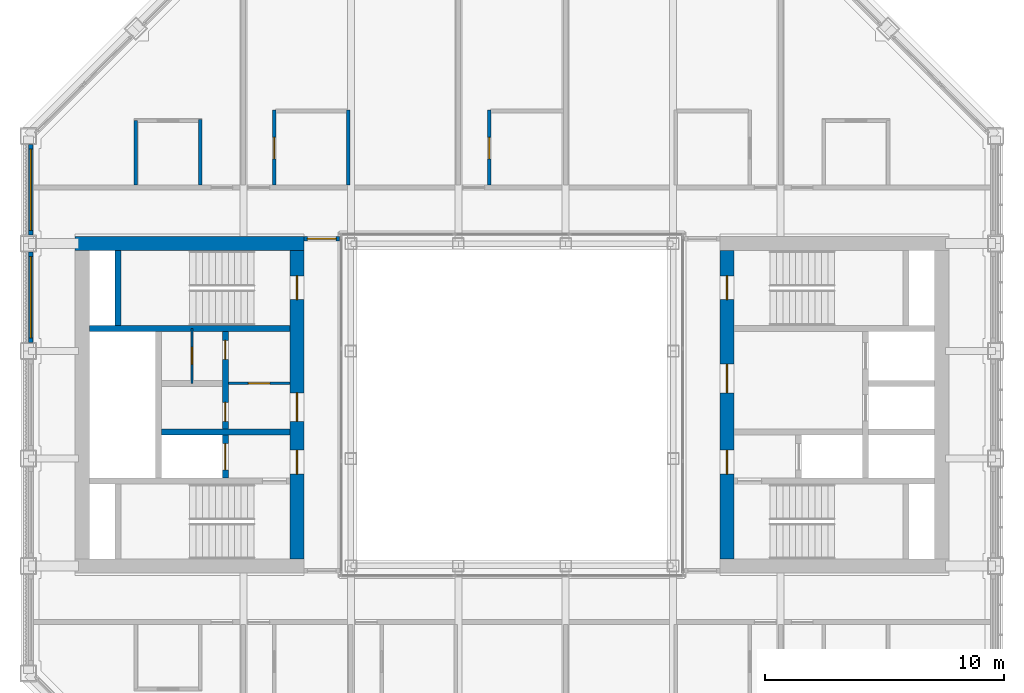
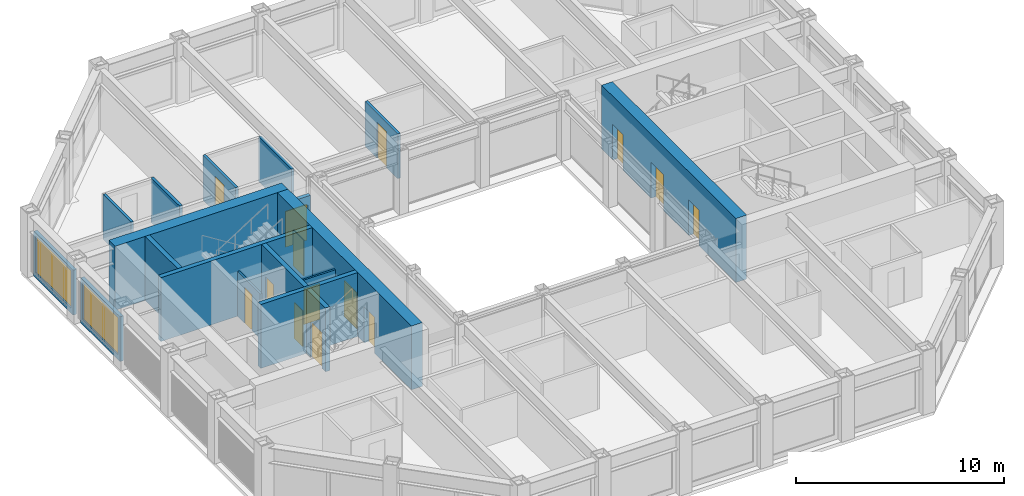
# One storey, part 10 of 16: 17 walls, 14 doors, 2 windows, 16 openings.
"""IFC4 building model written with IfcOpenShell, lengths in metres."""

from ifc_helpers import new_model, si_unit, direction, frame, frame_2d, origin, place, context, subcontext, project, spatial, rectangle, extrude, material, layer, layer_set, type_object, element, fill, save


model = new_model("IFC4")

# Units and contexts
model_context = context("Model", 3, precision=1e-05, world=origin(), true_north=direction((0.0, 1.0)))
body_context = subcontext(model_context, "Body", "Model", "MODEL_VIEW")
ifc_project = project(units=[si_unit("LENGTHUNIT", "METRE"), si_unit("AREAUNIT", "SQUARE_METRE"), si_unit("VOLUMEUNIT", "CUBIC_METRE"), si_unit("PLANEANGLEUNIT", "RADIAN"), si_unit("MASSUNIT", "GRAM", prefix="KILO")], contexts=[model_context])

# Site, building, storey
site_placement = place(None, origin())
site = spatial("IfcSite", under=ifc_project, at=site_placement, CompositionType="ELEMENT")
building_placement = place(site_placement, origin())
building = spatial("IfcBuilding", under=site, at=building_placement, Name="Msasa Ring Tower", CompositionType="ELEMENT")
storey_placement = place(building_placement, frame((0.0, 0.0, 212.050048828125)))
storey = spatial("IfcBuildingStorey", under=building, at=storey_placement, Name="L55", CompositionType="ELEMENT", Elevation=212.050048828125)

# Wall, openings, doors
ifc_material_1 = material(Name="Concrete C60/75", Category="concrete")
ifc_layer_1 = layer(ifc_material_1, 0.60009765625)
ifc_layer_set_1 = layer_set([ifc_layer_1], Name="CW3 CORE WALL 600")
wall_type_1 = type_object("IfcWallType", Name="CW3 CORE WALL 600", PredefinedType="SHEAR", material=ifc_layer_set_1)
wall_1_placement = place(storey_placement, frame((9.0, -6.449951171875, 0.0), z_axis=(0.0, 0.0, 1.0), x_axis=(0.0, 1.0, 0.0)))
wall_1 = element("IfcWall", 1, at=wall_1_placement, inside=storey, type_object=wall_type_1, Name="E core wall W L55", PredefinedType="SHEAR", context=body_context, shape_type="SweptSolid", body=[
    extrude(rectangle(XDim=12.89990234375, YDim=0.60009765625, at=frame_2d((6.449951171875, 0.0))), origin(), (0.0, 0.0, 1.0), 3.75),
])
opening_1_placement = place(wall_1_placement, frame((3.550048828125, 0.0, 0.0)))
opening_1 = element("IfcOpeningElement", 2, at=opening_1_placement, cuts=wall_1, Name="Opening SB-022", PredefinedType="OPENING", context=body_context, shape_type="SweptSolid", body=[
    extrude(rectangle(XDim=1.0, YDim=2.10009765625, at=frame_2d((0.5, 1.050048828125))), frame((0.0, 0.31005859375, 0.0), z_axis=(0.0, -1.0, 0.0), x_axis=(1.0, 0.0, 0.0)), (0.0, 0.0, 1.0), 0.6201171875),
])
opening_2_placement = place(wall_1_placement, frame((6.949951171875, 0.0, 0.0)))
opening_2 = element("IfcOpeningElement", 3, at=opening_2_placement, cuts=wall_1, Name="Opening SB-017", PredefinedType="OPENING", context=body_context, shape_type="SweptSolid", body=[
    extrude(rectangle(XDim=1.199951171875, YDim=2.10009765625, at=frame_2d((0.60009765625, 1.050048828125))), frame((0.0, 0.31005859375, 0.0), z_axis=(0.0, -1.0, 0.0), x_axis=(1.0, 0.0, 0.0)), (0.0, 0.0, 1.0), 0.6201171875),
])
opening_3_placement = place(wall_1_placement, frame((10.85009765625, 0.0, 0.0)))
opening_3 = element("IfcOpeningElement", 4, at=opening_3_placement, cuts=wall_1, Name="Opening SB-014", PredefinedType="OPENING", context=body_context, shape_type="SweptSolid", body=[
    extrude(rectangle(XDim=1.0, YDim=2.10009765625, at=frame_2d((0.5, 1.050048828125))), frame((0.0, 0.31005859375, 0.0), z_axis=(0.0, -1.0, 0.0), x_axis=(1.0, 0.0, 0.0)), (0.0, 0.0, 1.0), 0.6201171875),
])
ifc_material_2 = material(Name="Timber door leaf in a steel frame", Category="steel")
door_type_1 = type_object("IfcDoorType", Name="D4 LOBBY DOOR 1000x2100", OperationType="SINGLE_SWING_LEFT", PredefinedType="DOOR", material=ifc_material_2)
door_1_placement = place(opening_1_placement, origin())
door_1 = element("IfcDoor", 5, at=door_1_placement, inside=storey, type_object=door_type_1, Name="Door L55-EFFL", OperationType="SINGLE_SWING_LEFT", OverallHeight=2.10009765625, OverallWidth=1.0, PredefinedType="DOOR", context=body_context, shape_type="SweptSolid", body=[
    extrude(rectangle(XDim=1.0, YDim=2.10009765625, at=frame_2d((0.5, 1.050048828125))), frame((0.0, 0.02490234375, 0.0), z_axis=(0.0, -1.0, 0.0), x_axis=(1.0, 0.0, 0.0)), (0.0, 0.0, 1.0), 0.050048828125),
])
fill(opening_1, door_1)
ifc_material_3 = material(Name="Timber door leaf in a steel frame", Category="steel")
door_type_2 = type_object("IfcDoorType", Name="D5 WIDE LOBBY DOOR 1200x2100", OperationType="SINGLE_SWING_LEFT", PredefinedType="DOOR", material=ifc_material_3)
door_2_placement = place(opening_2_placement, origin())
door_2 = element("IfcDoor", 6, at=door_2_placement, inside=storey, type_object=door_type_2, Name="Door L55-ELL", OperationType="SINGLE_SWING_RIGHT", OverallHeight=2.10009765625, OverallWidth=1.199951171875, PredefinedType="DOOR", context=body_context, shape_type="SweptSolid", body=[
    extrude(rectangle(XDim=1.199951171875, YDim=2.10009765625, at=frame_2d((0.60009765625, 1.050048828125))), frame((0.0, 0.02490234375, 0.0), z_axis=(0.0, -1.0, 0.0), x_axis=(1.0, 0.0, 0.0)), (0.0, 0.0, 1.0), 0.050048828125),
])
fill(opening_2, door_2)
ifc_material_4 = material(Name="Timber door leaf in a steel frame", Category="steel")
door_type_3 = type_object("IfcDoorType", Name="D6 STAIR DOOR 1000x2100", OperationType="SINGLE_SWING_LEFT", PredefinedType="DOOR", material=ifc_material_4)
door_3_placement = place(opening_3_placement, origin())
door_3 = element("IfcDoor", 7, at=door_3_placement, inside=storey, type_object=door_type_3, Name="Door L55-ESTB", OperationType="SINGLE_SWING_RIGHT", OverallHeight=2.10009765625, OverallWidth=1.0, PredefinedType="DOOR", context=body_context, shape_type="SweptSolid", body=[
    extrude(rectangle(XDim=1.0, YDim=2.10009765625, at=frame_2d((0.5, 1.050048828125))), frame((0.0, 0.02490234375, 0.0), z_axis=(0.0, -1.0, 0.0), x_axis=(1.0, 0.0, 0.0)), (0.0, 0.0, 1.0), 0.050048828125),
])
fill(opening_3, door_3)

# Wall
wall_2_placement = place(storey_placement, frame((-8.699951171875, 6.75, 0.0), z_axis=(0.0, 0.0, 1.0), x_axis=(-1.0, 0.0, 0.0)))
element("IfcWall", 8, at=wall_2_placement, inside=storey, type_object=wall_type_1, Name="W core wall N L55", PredefinedType="SHEAR", context=body_context, shape_type="SweptSolid", body=[
    extrude(rectangle(XDim=9.60009765625, YDim=0.60009765625, at=frame_2d((4.800048828125, 0.0))), origin(), (0.0, 0.0, 1.0), 3.75),
])

# Wall, openings, doors
wall_3_placement = place(storey_placement, frame((-9.0, -6.449951171875, 0.0), z_axis=(0.0, 0.0, 1.0), x_axis=(0.0, 1.0, 0.0)))
wall_3 = element("IfcWall", 9, at=wall_3_placement, inside=storey, type_object=wall_type_1, Name="W core wall W L55", PredefinedType="SHEAR", context=body_context, shape_type="SweptSolid", body=[
    extrude(rectangle(XDim=12.89990234375, YDim=0.60009765625, at=frame_2d((6.449951171875, 0.0))), origin(), (0.0, 0.0, 1.0), 3.75),
])
opening_4_placement = place(wall_3_placement, frame((3.550048828125, 0.0, 0.0)))
opening_4 = element("IfcOpeningElement", 10, at=opening_4_placement, cuts=wall_3, Name="Opening SB-021", PredefinedType="OPENING", context=body_context, shape_type="SweptSolid", body=[
    extrude(rectangle(XDim=1.0, YDim=2.10009765625, at=frame_2d((0.5, 1.050048828125))), frame((0.0, 0.31005859375, 0.0), z_axis=(0.0, -1.0, 0.0), x_axis=(1.0, 0.0, 0.0)), (0.0, 0.0, 1.0), 0.6201171875),
])
opening_5_placement = place(wall_3_placement, frame((5.75, 0.0, 0.0)))
opening_5 = element("IfcOpeningElement", 11, at=opening_5_placement, cuts=wall_3, Name="Opening SB-019", PredefinedType="OPENING", context=body_context, shape_type="SweptSolid", body=[
    extrude(rectangle(XDim=1.199951171875, YDim=2.10009765625, at=frame_2d((0.60009765625, 1.050048828125))), frame((0.0, 0.31005859375, 0.0), z_axis=(0.0, -1.0, 0.0), x_axis=(1.0, 0.0, 0.0)), (0.0, 0.0, 1.0), 0.6201171875),
])
opening_6_placement = place(wall_3_placement, frame((10.85009765625, 0.0, 0.0)))
opening_6 = element("IfcOpeningElement", 12, at=opening_6_placement, cuts=wall_3, Name="Opening SB-013", PredefinedType="OPENING", context=body_context, shape_type="SweptSolid", body=[
    extrude(rectangle(XDim=1.0, YDim=2.10009765625, at=frame_2d((0.5, 1.050048828125))), frame((0.0, 0.31005859375, 0.0), z_axis=(0.0, -1.0, 0.0), x_axis=(1.0, 0.0, 0.0)), (0.0, 0.0, 1.0), 0.6201171875),
])
door_4_placement = place(opening_4_placement, origin())
door_4 = element("IfcDoor", 13, at=door_4_placement, inside=storey, type_object=door_type_1, Name="Door L55-WFFL", OperationType="SINGLE_SWING_LEFT", OverallHeight=2.10009765625, OverallWidth=1.0, PredefinedType="DOOR", context=body_context, shape_type="SweptSolid", body=[
    extrude(rectangle(XDim=1.0, YDim=2.10009765625, at=frame_2d((0.5, 1.050048828125))), frame((0.0, 0.02490234375, 0.0), z_axis=(0.0, -1.0, 0.0), x_axis=(1.0, 0.0, 0.0)), (0.0, 0.0, 1.0), 0.050048828125),
])
fill(opening_4, door_4)
door_5_placement = place(opening_5_placement, origin())
door_5 = element("IfcDoor", 14, at=door_5_placement, inside=storey, type_object=door_type_2, Name="Door L55-WLL", OperationType="SINGLE_SWING_LEFT", OverallHeight=2.10009765625, OverallWidth=1.199951171875, PredefinedType="DOOR", context=body_context, shape_type="SweptSolid", body=[
    extrude(rectangle(XDim=1.199951171875, YDim=2.10009765625, at=frame_2d((0.60009765625, 1.050048828125))), frame((0.0, 0.02490234375, 0.0), z_axis=(0.0, -1.0, 0.0), x_axis=(1.0, 0.0, 0.0)), (0.0, 0.0, 1.0), 0.050048828125),
])
fill(opening_5, door_5)
door_6_placement = place(opening_6_placement, origin())
door_6 = element("IfcDoor", 15, at=door_6_placement, inside=storey, type_object=door_type_3, Name="Door L55-WSTB", OperationType="SINGLE_SWING_RIGHT", OverallHeight=2.10009765625, OverallWidth=1.0, PredefinedType="DOOR", context=body_context, shape_type="SweptSolid", body=[
    extrude(rectangle(XDim=1.0, YDim=2.10009765625, at=frame_2d((0.5, 1.050048828125))), frame((0.0, 0.02490234375, 0.0), z_axis=(0.0, -1.0, 0.0), x_axis=(1.0, 0.0, 0.0)), (0.0, 0.0, 1.0), 0.050048828125),
])
fill(opening_6, door_6)

# Walls
ifc_material_5 = material(Name="Concrete C60/75", Category="concrete")
ifc_layer_2 = layer(ifc_material_5, 0.25)
ifc_layer_set_2 = layer_set([ifc_layer_2], Name="CW4 CORE INNER WALL 250")
wall_type_2 = type_object("IfcWallType", Name="CW4 CORE INNER WALL 250", PredefinedType="SHEAR", material=ifc_layer_set_2)
wall_4_placement = place(storey_placement, frame((-9.300048828125, 3.199951171875, 0.0), z_axis=(0.0, 0.0, 1.0), x_axis=(-1.0, 0.0, 0.0)))
element("IfcWall", 16, at=wall_4_placement, inside=storey, type_object=wall_type_2, Name="W core wall STAIRB L55", PredefinedType="SHEAR", context=body_context, shape_type="SweptSolid", body=[
    extrude(rectangle(XDim=8.39990234375, YDim=0.25, at=frame_2d((4.199951171875, 0.0))), origin(), (0.0, 0.0, 1.0), 3.75),
])
wall_5_placement = place(storey_placement, frame((-16.5, 3.324951171875, 0.0), z_axis=(0.0, 0.0, 1.0), x_axis=(0.0, 1.0, 0.0)))
element("IfcWall", 17, at=wall_5_placement, inside=storey, type_object=wall_type_2, Name="W core wall RISERB L55", PredefinedType="SHEAR", context=body_context, shape_type="SweptSolid", body=[
    extrude(rectangle(XDim=3.125, YDim=0.25, at=frame_2d((1.5625, 0.0))), origin(), (0.0, 0.0, 1.0), 3.75),
])
wall_6_placement = place(storey_placement, frame((-9.300048828125, -1.14990234375, 0.0), z_axis=(0.0, 0.0, 1.0), x_axis=(-1.0, 0.0, 0.0)))
element("IfcWall", 18, at=wall_6_placement, inside=storey, type_object=wall_type_2, Name="W core wall FFL L55", PredefinedType="SHEAR", context=body_context, shape_type="SweptSolid", body=[
    extrude(rectangle(XDim=5.375, YDim=0.25, at=frame_2d((2.6875, 0.0))), origin(), (0.0, 0.0, 1.0), 3.75),
])

# Wall, openings, doors
wall_7_placement = place(storey_placement, frame((-12.0, -3.074951171875, 0.0), z_axis=(0.0, 0.0, 1.0), x_axis=(0.0, 1.0, 0.0)))
wall_7 = element("IfcWall", 19, at=wall_7_placement, inside=storey, type_object=wall_type_2, Name="W core wall LOBBY L55", PredefinedType="SHEAR", context=body_context, shape_type="SweptSolid", body=[
    extrude(rectangle(XDim=6.14990234375, YDim=0.25, at=frame_2d((3.074951171875, 0.0))), origin(), (0.0, 0.0, 1.0), 3.75),
])
opening_7_placement = place(wall_7_placement, frame((2.375, 0.0, 0.0)))
opening_7 = element("IfcOpeningElement", 20, at=opening_7_placement, cuts=wall_7, Name="Opening SB-020", PredefinedType="OPENING", context=body_context, shape_type="SweptSolid", body=[
    extrude(rectangle(XDim=0.800048828125, YDim=2.10009765625, at=frame_2d((0.39990234375, 1.050048828125))), frame((0.0, 0.135009765625, 0.0), z_axis=(0.0, -1.0, 0.0), x_axis=(1.0, 0.0, 0.0)), (0.0, 0.0, 1.0), 0.27001953125),
])
opening_8_placement = place(wall_7_placement, frame((4.97509765625, 0.0, 0.0)))
opening_8 = element("IfcOpeningElement", 21, at=opening_8_placement, cuts=wall_7, Name="Opening SB-015", PredefinedType="OPENING", context=body_context, shape_type="SweptSolid", body=[
    extrude(rectangle(XDim=0.800048828125, YDim=2.10009765625, at=frame_2d((0.39990234375, 1.050048828125))), frame((0.0, 0.135009765625, 0.0), z_axis=(0.0, -1.0, 0.0), x_axis=(1.0, 0.0, 0.0)), (0.0, 0.0, 1.0), 0.27001953125),
])
opening_9_placement = place(wall_7_placement, frame((0.35009765625, 0.0, 0.0)))
opening_9 = element("IfcOpeningElement", 22, at=opening_9_placement, cuts=wall_7, Name="Opening LD1", PredefinedType="OPENING", context=body_context, shape_type="SweptSolid", body=[
    extrude(rectangle(XDim=1.10009765625, YDim=2.10009765625, at=frame_2d((0.550048828125, 1.050048828125))), frame((0.0, 0.135009765625, 0.0), z_axis=(0.0, -1.0, 0.0), x_axis=(1.0, 0.0, 0.0)), (0.0, 0.0, 1.0), 0.27001953125),
])
ifc_material_6 = material(Name="Timber door leaf in a steel frame", Category="steel")
door_type_4 = type_object("IfcDoorType", Name="D9 NARROW SERVICE DOOR 800x2100", OperationType="SINGLE_SWING_LEFT", PredefinedType="DOOR", material=ifc_material_6)
door_7_placement = place(opening_7_placement, origin())
door_7 = element("IfcDoor", 23, at=door_7_placement, inside=storey, type_object=door_type_4, Name="Door L55-WR1", OperationType="SINGLE_SWING_LEFT", OverallHeight=2.10009765625, OverallWidth=0.800048828125, PredefinedType="DOOR", context=body_context, shape_type="SweptSolid", body=[
    extrude(rectangle(XDim=0.800048828125, YDim=2.10009765625, at=frame_2d((0.39990234375, 1.050048828125))), frame((0.0, 0.02490234375, 0.0), z_axis=(0.0, -1.0, 0.0), x_axis=(1.0, 0.0, 0.0)), (0.0, 0.0, 1.0), 0.050048828125),
])
fill(opening_7, door_7)
door_8_placement = place(opening_8_placement, origin())
door_8 = element("IfcDoor", 24, at=door_8_placement, inside=storey, type_object=door_type_4, Name="Door L55-WR2", OperationType="SINGLE_SWING_RIGHT", OverallHeight=2.10009765625, OverallWidth=0.800048828125, PredefinedType="DOOR", context=body_context, shape_type="SweptSolid", body=[
    extrude(rectangle(XDim=0.800048828125, YDim=2.10009765625, at=frame_2d((0.39990234375, 1.050048828125))), frame((0.0, 0.02490234375, 0.0), z_axis=(0.0, -1.0, 0.0), x_axis=(1.0, 0.0, 0.0)), (0.0, 0.0, 1.0), 0.050048828125),
])
fill(opening_8, door_8)
ifc_material_7 = material(Name="Stainless steel lift landing door", Category="steel")
door_type_5 = type_object("IfcDoorType", Name="LD1 LIFT LANDING DOOR 1100x2100", OperationType="DOUBLE_DOOR_SLIDING", PredefinedType="DOOR", material=ifc_material_7)
door_9_placement = place(opening_9_placement, origin())
door_9 = element("IfcDoor", 25, at=door_9_placement, inside=storey, type_object=door_type_5, Name="Lift landing door FL-W L55", OperationType="DOUBLE_DOOR_SLIDING", OverallHeight=2.10009765625, OverallWidth=1.10009765625, PredefinedType="DOOR", context=body_context, shape_type="SweptSolid", body=[
    extrude(rectangle(XDim=1.10009765625, YDim=2.10009765625, at=frame_2d((0.550048828125, 1.050048828125))), frame((0.0, 0.02490234375, 0.0), z_axis=(0.0, -1.0, 0.0), x_axis=(1.0, 0.0, 0.0)), (0.0, 0.0, 1.0), 0.050048828125),
])
fill(opening_9, door_9)

# Wall, opening, window
ifc_material_8 = material(Name="Terracotta rainscreen on blockwork", Category="masonry")
ifc_layer_3 = layer(ifc_material_8, 0.199951171875)
ifc_layer_set_3 = layer_set([ifc_layer_3], Name="FW1 TERRACOTTA-LINED INFILL BAY WALL 200")
wall_type_3 = type_object("IfcWallType", Name="FW1 TERRACOTTA-LINED INFILL BAY WALL 200", PredefinedType="SOLIDWALL", material=ifc_layer_set_3)
wall_8_placement = place(storey_placement, frame((-20.14990234375, 2.60498046875, 0.0), z_axis=(0.0, 0.0, 1.0), x_axis=(0.0, 1.0, 0.0)))
wall_8 = element("IfcWall", 26, at=wall_8_placement, inside=storey, type_object=wall_type_3, Name="Infill bay wall W L55 24", PredefinedType="SOLIDWALL", context=body_context, shape_type="SweptSolid", body=[
    extrude(rectangle(XDim=3.7900390625, YDim=0.199951171875, at=frame_2d((1.89501953125, 0.0))), origin(), (0.0, 0.0, 1.0), 2.62890625),
])
opening_10_placement = place(wall_8_placement, frame((0.195068359375, 0.0, 0.300048828125)))
opening_10 = element("IfcOpeningElement", 27, at=opening_10_placement, cuts=wall_8, Name="Opening WN3", PredefinedType="OPENING", context=body_context, shape_type="SweptSolid", body=[
    extrude(rectangle(XDim=3.39990234375, YDim=2.178955078125, at=frame_2d((1.699951171875, 1.08935546875))), frame((0.0, 0.10986328125, 0.0), z_axis=(0.0, -1.0, 0.0), x_axis=(1.0, 0.0, 0.0)), (0.0, 0.0, 1.0), 0.219970703125),
])
ifc_material_9 = material(Name="Aluminium frame with clear glass", Category="aluminium")
window_type = type_object("IfcWindowType", Name="WN3 SUITE WINDOW 3400x2179", PartitioningType="SINGLE_PANEL", PredefinedType="WINDOW", material=ifc_material_9)
window_1_placement = place(opening_10_placement, origin())
window_1 = element("IfcWindow", 28, at=window_1_placement, inside=storey, type_object=window_type, Name="Window W L55 24", OverallHeight=2.178955078125, OverallWidth=3.39990234375, PartitioningType="SINGLE_PANEL", PredefinedType="WINDOW", context=body_context, shape_type="SweptSolid", body=[
    extrude(rectangle(XDim=3.39990234375, YDim=2.178955078125, at=frame_2d((1.699951171875, 1.08935546875))), frame((0.0, 0.030029296875, 0.0), z_axis=(0.0, -1.0, 0.0), x_axis=(1.0, 0.0, 0.0)), (0.0, 0.0, 1.0), 0.06005859375),
])
fill(opening_10, window_1)

wall_9_placement = place(storey_placement, frame((-20.14990234375, 7.10498046875, 0.0), z_axis=(0.0, 0.0, 1.0), x_axis=(0.0, 1.0, 0.0)))
wall_9 = element("IfcWall", 29, at=wall_9_placement, inside=storey, type_object=wall_type_3, Name="Infill bay wall W L55 25", PredefinedType="SOLIDWALL", context=body_context, shape_type="SweptSolid", body=[
    extrude(rectangle(XDim=3.7900390625, YDim=0.199951171875, at=frame_2d((1.89501953125, 0.0))), origin(), (0.0, 0.0, 1.0), 2.62890625),
])
opening_11_placement = place(wall_9_placement, frame((0.195068359375, 0.0, 0.300048828125)))
opening_11 = element("IfcOpeningElement", 30, at=opening_11_placement, cuts=wall_9, Name="Opening WN3", PredefinedType="OPENING", context=body_context, shape_type="SweptSolid", body=[
    extrude(rectangle(XDim=3.39990234375, YDim=2.178955078125, at=frame_2d((1.699951171875, 1.08935546875))), frame((0.0, 0.10986328125, 0.0), z_axis=(0.0, -1.0, 0.0), x_axis=(1.0, 0.0, 0.0)), (0.0, 0.0, 1.0), 0.219970703125),
])
window_2_placement = place(opening_11_placement, origin())
window_2 = element("IfcWindow", 31, at=window_2_placement, inside=storey, type_object=window_type, Name="Window W L55 25", OverallHeight=2.178955078125, OverallWidth=3.39990234375, PartitioningType="SINGLE_PANEL", PredefinedType="WINDOW", context=body_context, shape_type="SweptSolid", body=[
    extrude(rectangle(XDim=3.39990234375, YDim=2.178955078125, at=frame_2d((1.699951171875, 1.08935546875))), frame((0.0, 0.030029296875, 0.0), z_axis=(0.0, -1.0, 0.0), x_axis=(1.0, 0.0, 0.0)), (0.0, 0.0, 1.0), 0.06005859375),
])
fill(opening_11, window_2)

# Wall, opening, door
ifc_material_10 = material(Name="Concrete blockwork", Category="masonry")
ifc_layer_4 = layer(ifc_material_10, 0.199951171875)
ifc_layer_set_4 = layer_set([ifc_layer_4], Name="PT1 CORRIDOR WALL 200")
wall_type_4 = type_object("IfcWallType", Name="PT1 CORRIDOR WALL 200", PredefinedType="PARTITIONING", material=ifc_layer_set_4)
wall_10_placement = place(storey_placement, frame((-8.699951171875, 6.949951171875, 0.0), z_axis=(0.0, 0.0, 1.0), x_axis=(1.0, 0.0, 0.0)))
wall_10 = element("IfcWall", 32, at=wall_10_placement, inside=storey, type_object=wall_type_4, Name="Corridor wall L55-SDWN", PredefinedType="PARTITIONING", context=body_context, shape_type="SweptSolid", body=[
    extrude(rectangle(XDim=1.469970703125, YDim=0.199951171875, at=frame_2d((0.73486328125, 0.0))), origin(), (0.0, 0.0, 1.0), 2.62890625),
])
opening_12_placement = place(wall_10_placement, frame((0.135009765625, 0.0, 0.0)))
opening_12 = element("IfcOpeningElement", 33, at=opening_12_placement, cuts=wall_10, Name="Opening SB-011", PredefinedType="OPENING", context=body_context, shape_type="SweptSolid", body=[
    extrude(rectangle(XDim=1.199951171875, YDim=2.10009765625, at=frame_2d((0.60009765625, 1.050048828125))), frame((0.0, 0.10986328125, 0.0), z_axis=(0.0, -1.0, 0.0), x_axis=(1.0, 0.0, 0.0)), (0.0, 0.0, 1.0), 0.219970703125),
])
ifc_material_11 = material(Name="Timber door leaf in a steel frame", Category="steel")
door_type_6 = type_object("IfcDoorType", Name="D25 CORRIDOR PAIR OF SMOKE DOORS 1200x2100", OperationType="DOUBLE_DOOR_DOUBLE_SWING", PredefinedType="DOOR", material=ifc_material_11)
door_10_placement = place(opening_12_placement, origin())
door_10 = element("IfcDoor", 34, at=door_10_placement, inside=storey, type_object=door_type_6, Name="Door L55-SDWN", OperationType="DOUBLE_DOOR_DOUBLE_SWING", OverallHeight=2.10009765625, OverallWidth=1.199951171875, PredefinedType="DOOR", context=body_context, shape_type="SweptSolid", body=[
    extrude(rectangle(XDim=1.199951171875, YDim=2.10009765625, at=frame_2d((0.60009765625, 1.050048828125))), frame((0.0, 0.02490234375, 0.0), z_axis=(0.0, -1.0, 0.0), x_axis=(1.0, 0.0, 0.0)), (0.0, 0.0, 1.0), 0.050048828125),
])
fill(opening_12, door_10)

ifc_material_12 = material(Name="Gypsum board on steel studs", Category="steel")
ifc_layer_5 = layer(ifc_material_12, 0.10009765625)
ifc_layer_set_5 = layer_set([ifc_layer_5], Name="PT2 STUD PARTITION 100")
wall_type_5 = type_object("IfcWallType", Name="PT2 STUD PARTITION 100", PredefinedType="PARTITIONING", material=ifc_layer_set_5)
wall_11_placement = place(storey_placement, frame((-11.875, 0.89990234375, 0.0), z_axis=(0.0, 0.0, 1.0), x_axis=(1.0, 0.0, 0.0)))
wall_11 = element("IfcWall", 35, at=wall_11_placement, inside=storey, type_object=wall_type_5, Name="Partition L55-WCP", PredefinedType="PARTITIONING", context=body_context, shape_type="SweptSolid", body=[
    extrude(rectangle(XDim=2.574951171875, YDim=0.10009765625, at=frame_2d((1.28759765625, 0.0))), origin(), (0.0, 0.0, 1.0), 2.62890625),
])
opening_13_placement = place(wall_11_placement, frame((0.83740234375, 0.0, 0.0)))
opening_13 = element("IfcOpeningElement", 36, at=opening_13_placement, cuts=wall_11, Name="Opening SB-018", PredefinedType="OPENING", context=body_context, shape_type="SweptSolid", body=[
    extrude(rectangle(XDim=0.89990234375, YDim=2.10009765625, at=frame_2d((0.449951171875, 1.050048828125))), frame((0.0, 0.06005859375, 0.0), z_axis=(0.0, -1.0, 0.0), x_axis=(1.0, 0.0, 0.0)), (0.0, 0.0, 1.0), 0.1201171875),
])
ifc_material_13 = material(Name="Timber door leaf in a steel frame", Category="steel")
door_type_7 = type_object("IfcDoorType", Name="D22 INTERNAL HALL DOOR 900x2100", OperationType="SINGLE_SWING_LEFT", PredefinedType="DOOR", material=ifc_material_13)
door_11_placement = place(opening_13_placement, origin())
door_11 = element("IfcDoor", 37, at=door_11_placement, inside=storey, type_object=door_type_7, Name="Door L55-WCP", OperationType="SINGLE_SWING_LEFT", OverallHeight=2.10009765625, OverallWidth=0.89990234375, PredefinedType="DOOR", context=body_context, shape_type="SweptSolid", body=[
    extrude(rectangle(XDim=0.89990234375, YDim=2.10009765625, at=frame_2d((0.449951171875, 1.050048828125))), frame((0.0, 0.02490234375, 0.0), z_axis=(0.0, -1.0, 0.0), x_axis=(1.0, 0.0, 0.0)), (0.0, 0.0, 1.0), 0.050048828125),
])
fill(opening_13, door_11)

wall_12_placement = place(storey_placement, frame((-13.39990234375, 0.89990234375, 0.0), z_axis=(0.0, 0.0, 1.0), x_axis=(0.0, 1.0, 0.0)))
wall_12 = element("IfcWall", 38, at=wall_12_placement, inside=storey, type_object=wall_type_5, Name="Partition L55-WRP2", PredefinedType="PARTITIONING", context=body_context, shape_type="SweptSolid", body=[
    extrude(rectangle(XDim=2.300048828125, YDim=0.10009765625, at=frame_2d((1.14990234375, 0.0))), origin(), (0.0, 0.0, 1.0), 2.62890625),
])
opening_14_placement = place(wall_12_placement, frame((0.800048828125, 0.0, 0.0)))
opening_14 = element("IfcOpeningElement", 39, at=opening_14_placement, cuts=wall_12, Name="Opening SB-016", PredefinedType="OPENING", context=body_context, shape_type="SweptSolid", body=[
    extrude(rectangle(XDim=0.699951171875, YDim=2.10009765625, at=frame_2d((0.35009765625, 1.050048828125))), frame((0.0, 0.06005859375, 0.0), z_axis=(0.0, -1.0, 0.0), x_axis=(1.0, 0.0, 0.0)), (0.0, 0.0, 1.0), 0.1201171875),
])
ifc_material_14 = material(Name="Timber door leaf in a steel frame", Category="steel")
door_type_8 = type_object("IfcDoorType", Name="D32 INTERNAL NARROW STORE DOOR 700x2100", OperationType="SINGLE_SWING_LEFT", PredefinedType="DOOR", material=ifc_material_14)
door_12_placement = place(opening_14_placement, origin())
door_12 = element("IfcDoor", 40, at=door_12_placement, inside=storey, type_object=door_type_8, Name="Door L55-WRC2", OperationType="SINGLE_SWING_LEFT", OverallHeight=2.10009765625, OverallWidth=0.699951171875, PredefinedType="DOOR", context=body_context, shape_type="SweptSolid", body=[
    extrude(rectangle(XDim=0.699951171875, YDim=2.10009765625, at=frame_2d((0.35009765625, 1.050048828125))), frame((0.0, 0.02490234375, 0.0), z_axis=(0.0, -1.0, 0.0), x_axis=(1.0, 0.0, 0.0)), (0.0, 0.0, 1.0), 0.050048828125),
])
fill(opening_14, door_12)

ifc_material_15 = material(Name="Moisture-resistant board on steel studs with a concealed cistern and pipe void, tiled", Category="steel")
ifc_layer_6 = layer(ifc_material_15, 0.14990234375)
ifc_layer_set_6 = layer_set([ifc_layer_6], Name="PT4 BATHROOM WET WALL 150")
wall_type_6 = type_object("IfcWallType", Name="PT4 BATHROOM WET WALL 150", PredefinedType="PARTITIONING", material=ifc_layer_set_6)
wall_13_placement = place(storey_placement, frame((-9.949951171875, 9.199951171875, 0.0), z_axis=(0.0, 0.0, 1.0), x_axis=(0.0, 1.0, 0.0)))
wall_13 = element("IfcWall", 41, at=wall_13_placement, inside=storey, type_object=wall_type_6, Name="Partition L55-JN00BX", PredefinedType="PARTITIONING", context=body_context, shape_type="SweptSolid", body=[
    extrude(rectangle(XDim=3.150146484375, YDim=0.14990234375, at=frame_2d((1.5751953125, 0.0))), origin(), (0.0, 0.0, 1.0), 2.62890625),
])
opening_15_placement = place(wall_13_placement, frame((1.10009765625, 0.0, 0.0)))
opening_15 = element("IfcOpeningElement", 42, at=opening_15_placement, cuts=wall_13, Name="Opening SB-003", PredefinedType="OPENING", context=body_context, shape_type="SweptSolid", body=[
    extrude(rectangle(XDim=0.89990234375, YDim=2.10009765625, at=frame_2d((0.449951171875, 1.050048828125))), frame((0.0, 0.0849609375, 0.0), z_axis=(0.0, -1.0, 0.0), x_axis=(1.0, 0.0, 0.0)), (0.0, 0.0, 1.0), 0.169921875),
])
ifc_material_16 = material(Name="Timber door leaf in a steel frame", Category="steel")
door_type_9 = type_object("IfcDoorType", Name="D3 BATHROOM DOOR 900x2100", OperationType="SINGLE_SWING_LEFT", PredefinedType="DOOR", material=ifc_material_16)
door_13_placement = place(opening_15_placement, origin())
door_13 = element("IfcDoor", 43, at=door_13_placement, inside=storey, type_object=door_type_9, Name="Door L55-JN00B", OperationType="SINGLE_SWING_LEFT", OverallHeight=2.10009765625, OverallWidth=0.89990234375, PredefinedType="DOOR", context=body_context, shape_type="SweptSolid", body=[
    extrude(rectangle(XDim=0.89990234375, YDim=2.10009765625, at=frame_2d((0.449951171875, 1.050048828125))), frame((0.0, 0.02490234375, 0.0), z_axis=(0.0, -1.0, 0.0), x_axis=(1.0, 0.0, 0.0)), (0.0, 0.0, 1.0), 0.050048828125),
])
fill(opening_15, door_13)

# Wall
wall_14_placement = place(storey_placement, frame((-6.85009765625, 9.199951171875, 0.0), z_axis=(0.0, 0.0, 1.0), x_axis=(0.0, 1.0, 0.0)))
element("IfcWall", 44, at=wall_14_placement, inside=storey, type_object=wall_type_6, Name="Partition L55-JN00BF", PredefinedType="PARTITIONING", context=body_context, shape_type="SweptSolid", body=[
    extrude(rectangle(XDim=3.150146484375, YDim=0.14990234375, at=frame_2d((1.5751953125, 0.0))), origin(), (0.0, 0.0, 1.0), 2.62890625),
])

# Wall, opening, door
wall_15_placement = place(storey_placement, frame((-0.949951171875, 9.199951171875, 0.0), z_axis=(0.0, 0.0, 1.0), x_axis=(0.0, 1.0, 0.0)))
wall_15 = element("IfcWall", 45, at=wall_15_placement, inside=storey, type_object=wall_type_6, Name="Partition L55-JN01BX", PredefinedType="PARTITIONING", context=body_context, shape_type="SweptSolid", body=[
    extrude(rectangle(XDim=3.150146484375, YDim=0.14990234375, at=frame_2d((1.5751953125, 0.0))), origin(), (0.0, 0.0, 1.0), 2.62890625),
])
opening_16_placement = place(wall_15_placement, frame((1.10009765625, 0.0, 0.0)))
opening_16 = element("IfcOpeningElement", 46, at=opening_16_placement, cuts=wall_15, Name="Opening SB-004", PredefinedType="OPENING", context=body_context, shape_type="SweptSolid", body=[
    extrude(rectangle(XDim=0.89990234375, YDim=2.10009765625, at=frame_2d((0.449951171875, 1.050048828125))), frame((0.0, 0.0849609375, 0.0), z_axis=(0.0, -1.0, 0.0), x_axis=(1.0, 0.0, 0.0)), (0.0, 0.0, 1.0), 0.169921875),
])
door_14_placement = place(opening_16_placement, origin())
door_14 = element("IfcDoor", 47, at=door_14_placement, inside=storey, type_object=door_type_9, Name="Door L55-JN01B", OperationType="SINGLE_SWING_LEFT", OverallHeight=2.10009765625, OverallWidth=0.89990234375, PredefinedType="DOOR", context=body_context, shape_type="SweptSolid", body=[
    extrude(rectangle(XDim=0.89990234375, YDim=2.10009765625, at=frame_2d((0.449951171875, 1.050048828125))), frame((0.0, 0.02490234375, 0.0), z_axis=(0.0, -1.0, 0.0), x_axis=(1.0, 0.0, 0.0)), (0.0, 0.0, 1.0), 0.050048828125),
])
fill(opening_16, door_14)

# Walls
wall_16_placement = place(storey_placement, frame((-13.050048828125, 9.199951171875, 0.0), z_axis=(0.0, 0.0, 1.0), x_axis=(0.0, 1.0, 0.0)))
element("IfcWall", 48, at=wall_16_placement, inside=storey, type_object=wall_type_6, Name="Partition L55-CSNWBX", PredefinedType="PARTITIONING", context=body_context, shape_type="SweptSolid", body=[
    extrude(rectangle(XDim=2.75, YDim=0.14990234375, at=frame_2d((1.375, 0.0))), origin(), (0.0, 0.0, 1.0), 2.62890625),
])
wall_17_placement = place(storey_placement, frame((-15.75, 9.199951171875, 0.0), z_axis=(0.0, 0.0, 1.0), x_axis=(0.0, 1.0, 0.0)))
element("IfcWall", 49, at=wall_17_placement, inside=storey, type_object=wall_type_6, Name="Partition L55-CSNWBE", PredefinedType="PARTITIONING", context=body_context, shape_type="SweptSolid", body=[
    extrude(rectangle(XDim=2.699951171875, YDim=0.14990234375, at=frame_2d((1.35009765625, 0.0))), origin(), (0.0, 0.0, 1.0), 2.62890625),
])

save(model, "model.ifc")
